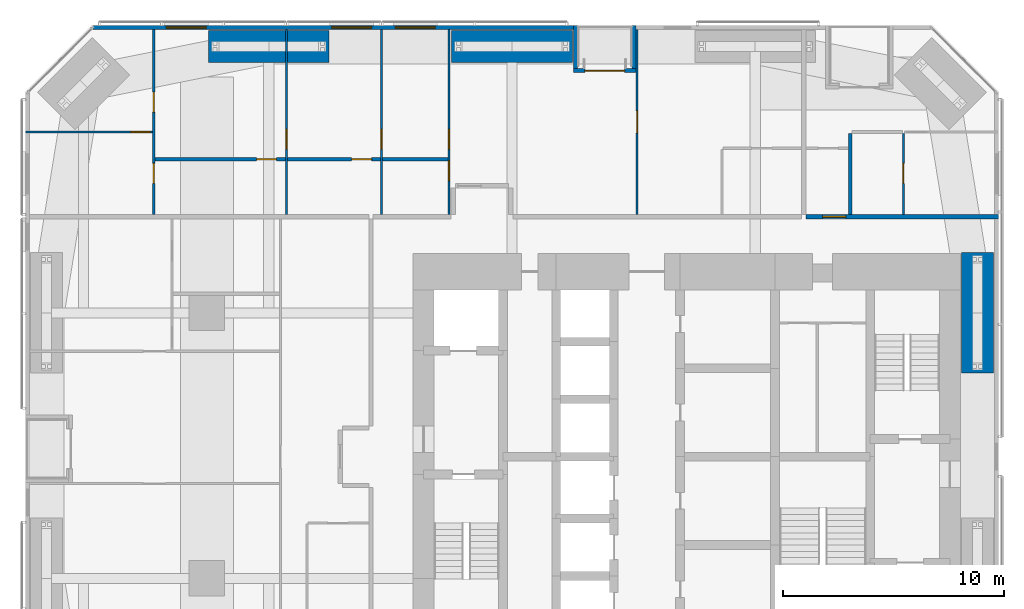
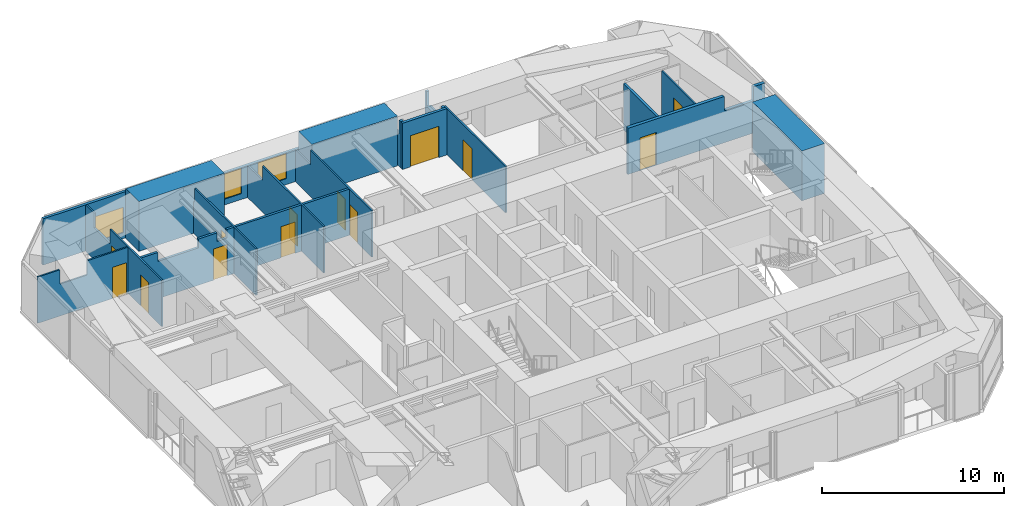
# One storey, part 21 of 23: 19 walls, 13 doors, 3 windows, 16 openings.
"""IFC4 building model written with IfcOpenShell, lengths in metres."""

from ifc_helpers import new_model, si_unit, direction, frame, frame_2d, origin, place, context, subcontext, project, spatial, polyline, rectangle, outline, extrude, material, layer, layer_set, constituent, constituent_set, type_object, element, fill, save


model = new_model("IFC4")

# Units and contexts
model_context = context("Model", 3, precision=1e-05, world=origin(), true_north=direction((0.0, 1.0)))
body_context = subcontext(model_context, "Body", "Model", "MODEL_VIEW")
ifc_project = project(units=[si_unit("LENGTHUNIT", "METRE"), si_unit("AREAUNIT", "SQUARE_METRE"), si_unit("VOLUMEUNIT", "CUBIC_METRE"), si_unit("PLANEANGLEUNIT", "RADIAN"), si_unit("MASSUNIT", "GRAM", prefix="KILO")], contexts=[model_context])

# Site, building, storey
site_placement = place(None, origin())
site = spatial("IfcSite", under=ifc_project, at=site_placement, CompositionType="ELEMENT")
building_placement = place(site_placement, origin())
building = spatial("IfcBuilding", under=site, at=building_placement, Name="Jalousie Tower", CompositionType="ELEMENT")
storey_placement = place(building_placement, frame((0.0, 0.0, 24.35009765625)))
storey = spatial("IfcBuildingStorey", under=building, at=storey_placement, Name="L05", CompositionType="ELEMENT", Elevation=24.35009765625)

# Wall, opening, door
ifc_material_1 = material(Name="Concrete block ASTM C90", Category="concrete")
ifc_constituent_1 = constituent(ifc_material_1, Name="Body")
ifc_material_2 = material(Name="Render")
ifc_constituent_2 = constituent(ifc_material_2, Name="Finish")
ifc_constituent_set_1 = constituent_set(constituents=[ifc_constituent_1, ifc_constituent_2])
wall_type_1 = type_object("IfcWallType", Name="BATHROOM WALL 150", PredefinedType="PLUMBINGWALL", material=ifc_constituent_set_1)
wall_1_placement = place(storey_placement, frame((7.85009765625, 31.949951171875, 0.0), z_axis=(0.0, 0.0, 1.0), x_axis=(1.0, 0.0, 0.0)))
wall_1 = element("IfcWall", 1, at=wall_1_placement, inside=storey, type_object=wall_type_1, Name="Bathroom Wall 150 L05", PredefinedType="PLUMBINGWALL", context=body_context, shape_type="SweptSolid", body=[
    extrude(outline(polyline([(0.0, 0.0), (5.89990234375, 0.0), (5.89990234375, 3.10986328125), (5.46240234375, 3.10986328125), (5.46240234375, 2.541015625), (4.837646484375, 2.541015625), (4.837646484375, 3.10986328125), (3.635009765625, 3.10986328125), (3.635009765625, 2.510009765625), (1.06494140625, 2.510009765625), (1.06494140625, 3.10986328125), (0.0, 3.10986328125), (0.0, 0.0)])), frame((0.0, 0.074951171875, 0.0), z_axis=(0.0, -1.0, 0.0), x_axis=(1.0, 0.0, 0.0)), (0.0, 0.0, 1.0), 0.14990234375),
])
opening_1_placement = place(wall_1_placement, frame((4.60009765625, 0.0, 0.0)))
opening_1 = element("IfcOpeningElement", 2, at=opening_1_placement, cuts=wall_1, Name="Opening D3", PredefinedType="OPENING", context=body_context, shape_type="SweptSolid", body=[
    extrude(rectangle(XDim=0.89990234375, YDim=2.10009765625, at=frame_2d((0.449951171875, 1.050048828125))), frame((0.0, 0.0849609375, 0.0), z_axis=(0.0, -1.0, 0.0), x_axis=(1.0, 0.0, 0.0)), (0.0, 0.0, 1.0), 0.169921875),
])
ifc_material_3 = material(Name="Timber door", Category="wood")
door_type_1 = type_object("IfcDoorType", Name="BATHROOM DOOR 900", OperationType="SINGLE_SWING_LEFT", PredefinedType="DOOR", material=ifc_material_3)
door_1_placement = place(opening_1_placement, frame((0.89990234375, 0.0, 0.0), z_axis=(0.0, 0.0, 1.0), x_axis=(-1.0, 0.0, 0.0)))
door_1 = element("IfcDoor", 3, at=door_1_placement, inside=storey, type_object=door_type_1, Name="Apartment 0504 bedroom 2 bathroom door", OperationType="SINGLE_SWING_LEFT", OverallHeight=2.10009765625, OverallWidth=0.89990234375, PredefinedType="DOOR", context=body_context, shape_type="SweptSolid", body=[
    extrude(rectangle(XDim=0.89990234375, YDim=2.10009765625, at=frame_2d((0.449951171875, 1.050048828125))), frame((0.0, 0.02490234375, 0.0), z_axis=(0.0, -1.0, 0.0), x_axis=(1.0, 0.0, 0.0)), (0.0, 0.0, 1.0), 0.050048828125),
])
fill(opening_1, door_1)

wall_2_placement = place(storey_placement, frame((13.85009765625, 31.949951171875, 0.0), z_axis=(0.0, 0.0, 1.0), x_axis=(1.0, 0.0, 0.0)))
wall_2 = element("IfcWall", 4, at=wall_2_placement, inside=storey, type_object=wall_type_1, Name="Bathroom Wall 150 L05", PredefinedType="PLUMBINGWALL", context=body_context, shape_type="SweptSolid", body=[
    extrude(rectangle(XDim=4.199951171875, YDim=0.14990234375, at=frame_2d((2.10009765625, 0.0))), origin(), (0.0, 0.0, 1.0), 3.10986328125),
])
opening_2_placement = place(wall_2_placement, frame((2.89990234375, 0.0, 0.0)))
opening_2 = element("IfcOpeningElement", 5, at=opening_2_placement, cuts=wall_2, Name="Opening D3", PredefinedType="OPENING", context=body_context, shape_type="SweptSolid", body=[
    extrude(rectangle(XDim=0.89990234375, YDim=2.10009765625, at=frame_2d((0.449951171875, 1.050048828125))), frame((0.0, 0.0849609375, 0.0), z_axis=(0.0, -1.0, 0.0), x_axis=(1.0, 0.0, 0.0)), (0.0, 0.0, 1.0), 0.169921875),
])
door_2_placement = place(opening_2_placement, frame((0.89990234375, 0.0, 0.0), z_axis=(0.0, 0.0, 1.0), x_axis=(-1.0, 0.0, 0.0)))
door_2 = element("IfcDoor", 6, at=door_2_placement, inside=storey, type_object=door_type_1, Name="Apartment 0504 bedroom 3 bathroom door", OperationType="SINGLE_SWING_LEFT", OverallHeight=2.10009765625, OverallWidth=0.89990234375, PredefinedType="DOOR", context=body_context, shape_type="SweptSolid", body=[
    extrude(rectangle(XDim=0.89990234375, YDim=2.10009765625, at=frame_2d((0.449951171875, 1.050048828125))), frame((0.0, 0.02490234375, 0.0), z_axis=(0.0, -1.0, 0.0), x_axis=(1.0, 0.0, 0.0)), (0.0, 0.0, 1.0), 0.050048828125),
])
fill(opening_2, door_2)

# Walls
wall_3_placement = place(storey_placement, frame((18.14990234375, 31.949951171875, 0.0), z_axis=(0.0, 0.0, 1.0), x_axis=(1.0, 0.0, 0.0)))
element("IfcWall", 7, at=wall_3_placement, inside=storey, type_object=wall_type_1, Name="Bathroom Wall 150 L05", PredefinedType="PLUMBINGWALL", context=body_context, shape_type="SweptSolid", body=[
    extrude(rectangle(XDim=2.9501953125, YDim=0.14990234375, at=frame_2d((1.47509765625, 0.0))), origin(), (0.0, 0.0, 1.0), 3.10986328125),
])
wall_4_placement = place(storey_placement, frame((39.300048828125, 33.107666015625, 0.0), z_axis=(0.0, 0.0, 1.0), x_axis=(0.0, -1.0, 0.0)))
element("IfcWall", 8, at=wall_4_placement, inside=storey, type_object=wall_type_1, Name="Bathroom Wall 150 L05", PredefinedType="PLUMBINGWALL", context=body_context, shape_type="SweptSolid", body=[
    extrude(rectangle(XDim=3.65771484375, YDim=0.14990234375, at=frame_2d((1.828857421875, 0.0))), origin(), (0.0, 0.0, 1.0), 3.10986328125),
])

# Wall, opening, door
ifc_material_4 = material(Name="Concrete block ASTM C90", Category="concrete")
ifc_constituent_3 = constituent(ifc_material_4, Name="Body")
ifc_material_5 = material(Name="Render")
ifc_constituent_4 = constituent(ifc_material_5, Name="Finish")
ifc_constituent_set_2 = constituent_set(constituents=[ifc_constituent_3, ifc_constituent_4])
wall_type_2 = type_object("IfcWallType", Name="CORRIDOR WALL 200", PredefinedType="PARTITIONING", material=ifc_constituent_set_2)
wall_5_placement = place(storey_placement, frame((37.300048828125, 29.35009765625, 0.0), z_axis=(0.0, 0.0, 1.0), x_axis=(1.0, 0.0, 0.0)))
wall_5 = element("IfcWall", 9, at=wall_5_placement, inside=storey, type_object=wall_type_2, Name="Corridor Wall 200 L05", PredefinedType="PARTITIONING", context=body_context, shape_type="SweptSolid", body=[
    extrude(outline(polyline([(0.0, 0.0), (8.699951171875, 0.0), (8.699951171875, 3.10986328125), (7.966552734375, 3.10986328125), (7.966552734375, 2.14990234375), (6.122802734375, 2.14990234375), (6.122802734375, 3.10986328125), (0.0, 3.10986328125), (0.0, 0.0)])), frame((0.0, 0.10009765625, 0.0), z_axis=(0.0, -1.0, 0.0), x_axis=(1.0, 0.0, 0.0)), (0.0, 0.0, 1.0), 0.199951171875),
])
opening_3_placement = place(wall_5_placement, frame((0.75, 0.0, 0.0)))
opening_3 = element("IfcOpeningElement", 10, at=opening_3_placement, cuts=wall_5, Name="Opening D1", PredefinedType="OPENING", context=body_context, shape_type="SweptSolid", body=[
    extrude(rectangle(XDim=1.050048828125, YDim=2.199951171875, at=frame_2d((0.52490234375, 1.10009765625))), frame((0.0, 0.10986328125, 0.0), z_axis=(0.0, -1.0, 0.0), x_axis=(1.0, 0.0, 0.0)), (0.0, 0.0, 1.0), 0.219970703125),
])
ifc_material_6 = material(Name="Timber fire door", Category="wood")
door_type_2 = type_object("IfcDoorType", Name="APARTMENT ENTRANCE DOOR 1050", OperationType="SINGLE_SWING_LEFT", PredefinedType="DOOR", material=ifc_material_6)
door_3_placement = place(opening_3_placement, origin())
door_3 = element("IfcDoor", 11, at=door_3_placement, inside=storey, type_object=door_type_2, Name="Apartment 0505 entrance", OperationType="SINGLE_SWING_RIGHT", OverallHeight=2.199951171875, OverallWidth=1.050048828125, PredefinedType="DOOR", context=body_context, shape_type="SweptSolid", body=[
    extrude(rectangle(XDim=1.050048828125, YDim=2.199951171875, at=frame_2d((0.52490234375, 1.10009765625))), frame((0.0, 0.02490234375, 0.0), z_axis=(0.0, -1.0, 0.0), x_axis=(1.0, 0.0, 0.0)), (0.0, 0.0, 1.0), 0.050048828125),
])
fill(opening_3, door_3)

# Wall, openings, windows
ifc_material_7 = material(Name="Concrete f'c 40 MPa", Category="concrete")
ifc_constituent_5 = constituent(ifc_material_7, Name="Body")
ifc_material_8 = material(Name="Render, pastel coral")
ifc_constituent_6 = constituent(ifc_material_8, Name="Finish")
ifc_constituent_set_3 = constituent_set(constituents=[ifc_constituent_5, ifc_constituent_6])
wall_type_3 = type_object("IfcWallType", Name="EXTERNAL WALL 175 CORAL RENDER", PredefinedType="SOLIDWALL", material=ifc_constituent_set_3)
wall_6_placement = place(storey_placement, frame((26.783203125, 37.91259765625, 0.0), z_axis=(0.0, 0.0, 1.0), x_axis=(-1.0, 0.0, 0.0)))
wall_6 = element("IfcWall", 12, at=wall_6_placement, inside=storey, type_object=wall_type_3, Name="External Wall 175 Coral Render L05", PredefinedType="SOLIDWALL", context=body_context, shape_type="SweptSolid", body=[
    extrude(outline(polyline([(0.0, 0.0), (21.73193359375, 0.0), (21.73193359375, 3.10986328125), (13.9873046875, 3.10986328125), (13.9873046875, 2.14990234375), (13.93896484375, 2.14990234375), (13.93896484375, 3.10986328125), (13.783203125, 3.10986328125), (13.783203125, 2.14990234375), (0.0, 2.14990234375), (0.0, 0.0)])), frame((0.0, 0.08740234375, 0.0), z_axis=(0.0, -1.0, 0.0), x_axis=(1.0, 0.0, 0.0)), (0.0, 0.0, 1.0), 0.175048828125),
])
opening_4_placement = place(wall_6_placement, frame((6.25830078125, 0.0, 0.39990234375)))
opening_4 = element("IfcOpeningElement", 13, at=opening_4_placement, cuts=wall_6, Name="Opening W-BED170", PredefinedType="OPENING", context=body_context, shape_type="SweptSolid", body=[
    extrude(rectangle(XDim=1.800048828125, YDim=1.699951171875, at=frame_2d((0.89990234375, 0.85009765625))), frame((0.0, 0.097412109375, 0.0), z_axis=(0.0, -1.0, 0.0), x_axis=(1.0, 0.0, 0.0)), (0.0, 0.0, 1.0), 0.195068359375),
])
opening_5_placement = place(wall_6_placement, frame((9.125732421875, 0.0, 0.39990234375)))
opening_5 = element("IfcOpeningElement", 14, at=opening_5_placement, cuts=wall_6, Name="Opening W-BED170", PredefinedType="OPENING", context=body_context, shape_type="SweptSolid", body=[
    extrude(rectangle(XDim=1.800048828125, YDim=1.699951171875, at=frame_2d((0.89990234375, 0.85009765625))), frame((0.0, 0.097412109375, 0.0), z_axis=(0.0, -1.0, 0.0), x_axis=(1.0, 0.0, 0.0)), (0.0, 0.0, 1.0), 0.195068359375),
])
opening_6_placement = place(wall_6_placement, frame((16.61328125, 0.0, 0.39990234375)))
opening_6 = element("IfcOpeningElement", 15, at=opening_6_placement, cuts=wall_6, Name="Opening W-BED170", PredefinedType="OPENING", context=body_context, shape_type="SweptSolid", body=[
    extrude(rectangle(XDim=1.800048828125, YDim=1.699951171875, at=frame_2d((0.89990234375, 0.85009765625))), frame((0.0, 0.097412109375, 0.0), z_axis=(0.0, -1.0, 0.0), x_axis=(1.0, 0.0, 0.0)), (0.0, 0.0, 1.0), 0.195068359375),
])
ifc_material_9 = material(Name="Aluminium frame, impact-rated glazing", Category="aluminium")
window_type = type_object("IfcWindowType", Name="WINDOW BED 1800x1700", PartitioningType="SINGLE_PANEL", PredefinedType="WINDOW", material=ifc_material_9)
window_1_placement = place(opening_4_placement, origin())
window_1 = element("IfcWindow", 16, at=window_1_placement, inside=storey, type_object=window_type, Name="Apartment 0504 bedroom 4 window", OverallHeight=1.699951171875, OverallWidth=1.800048828125, PartitioningType="SINGLE_PANEL", PredefinedType="WINDOW", context=body_context, shape_type="SweptSolid", body=[
    extrude(rectangle(XDim=1.800048828125, YDim=1.699951171875, at=frame_2d((0.89990234375, 0.85009765625))), frame((0.0, 0.030029296875, 0.0), z_axis=(0.0, -1.0, 0.0), x_axis=(1.0, 0.0, 0.0)), (0.0, 0.0, 1.0), 0.06005859375),
])
fill(opening_4, window_1)
window_2_placement = place(opening_5_placement, origin())
window_2 = element("IfcWindow", 17, at=window_2_placement, inside=storey, type_object=window_type, Name="Apartment 0504 bedroom 3 window", OverallHeight=1.699951171875, OverallWidth=1.800048828125, PartitioningType="SINGLE_PANEL", PredefinedType="WINDOW", context=body_context, shape_type="SweptSolid", body=[
    extrude(rectangle(XDim=1.800048828125, YDim=1.699951171875, at=frame_2d((0.89990234375, 0.85009765625))), frame((0.0, 0.030029296875, 0.0), z_axis=(0.0, -1.0, 0.0), x_axis=(1.0, 0.0, 0.0)), (0.0, 0.0, 1.0), 0.06005859375),
])
fill(opening_5, window_2)
window_3_placement = place(opening_6_placement, origin())
window_3 = element("IfcWindow", 18, at=window_3_placement, inside=storey, type_object=window_type, Name="Apartment 0504 bedroom 2 window", OverallHeight=1.699951171875, OverallWidth=1.800048828125, PartitioningType="SINGLE_PANEL", PredefinedType="WINDOW", context=body_context, shape_type="SweptSolid", body=[
    extrude(rectangle(XDim=1.800048828125, YDim=1.699951171875, at=frame_2d((0.89990234375, 0.85009765625))), frame((0.0, 0.030029296875, 0.0), z_axis=(0.0, -1.0, 0.0), x_axis=(1.0, 0.0, 0.0)), (0.0, 0.0, 1.0), 0.06005859375),
])
fill(opening_6, window_3)

# Wall, opening, door
wall_7_placement = place(storey_placement, frame((29.608154296875, 35.96240234375, 0.0), z_axis=(0.0, 0.0, 1.0), x_axis=(-1.0, 0.0, 0.0)))
wall_7 = element("IfcWall", 19, at=wall_7_placement, inside=storey, type_object=wall_type_3, Name="External Wall 175 Coral Render L05", PredefinedType="SOLIDWALL", context=body_context, shape_type="SweptSolid", body=[
    extrude(rectangle(XDim=2.824951171875, YDim=0.175048828125, at=frame_2d((1.41259765625, 0.0))), origin(), (0.0, 0.0, 1.0), 3.10986328125),
])
opening_7_placement = place(wall_7_placement, frame((0.512451171875, 0.0, 0.0)))
opening_7 = element("IfcOpeningElement", 20, at=opening_7_placement, cuts=wall_7, Name="Opening D-BAL21", PredefinedType="OPENING", context=body_context, shape_type="SweptSolid", body=[
    extrude(rectangle(XDim=1.800048828125, YDim=2.10009765625, at=frame_2d((0.89990234375, 1.050048828125))), frame((0.0, 0.097412109375, 0.0), z_axis=(0.0, -1.0, 0.0), x_axis=(1.0, 0.0, 0.0)), (0.0, 0.0, 1.0), 0.195068359375),
])
ifc_material_10 = material(Name="Aluminium frame, impact-rated glazing", Category="aluminium")
door_type_3 = type_object("IfcDoorType", Name="BALCONY DOOR 1800x2100", OperationType="SLIDING_TO_LEFT", PredefinedType="DOOR", material=ifc_material_10)
door_4_placement = place(opening_7_placement, origin())
door_4 = element("IfcDoor", 21, at=door_4_placement, inside=storey, type_object=door_type_3, Name="Apartment 0504 living room loggia door", OperationType="SLIDING_TO_LEFT", OverallHeight=2.10009765625, OverallWidth=1.800048828125, PredefinedType="DOOR", context=body_context, shape_type="SweptSolid", body=[
    extrude(rectangle(XDim=1.800048828125, YDim=2.10009765625, at=frame_2d((0.89990234375, 1.050048828125))), frame((0.0, 0.02490234375, 0.0), z_axis=(0.0, -1.0, 0.0), x_axis=(1.0, 0.0, 0.0)), (0.0, 0.0, 1.0), 0.050048828125),
])
fill(opening_7, door_4)

# Walls
for number, where, z_axis, x_axis, name in (
    (22, (29.520751953125, 38.0, 0.0), (0.0, 0.0, 1.0), (0.0, -1.0, 0.0), "External Wall 175 Coral Render L05"),
    (23, (26.87060546875, 38.0, 0.0), (0.0, 0.0, 1.0), (0.0, -1.0, 0.0), "External Wall 175 Coral Render L05"),
):
    element("IfcWall", number, at=place(storey_placement, frame(where, z_axis=z_axis, x_axis=x_axis)), inside=storey, type_object=wall_type_3, Name=name, PredefinedType="SOLIDWALL", context=body_context, shape_type="SweptSolid", body=[
        extrude(outline(polyline([(0.0, 0.0), (1.949951171875, 0.0), (1.949951171875, 3.10986328125), (1.75, 3.10986328125), (1.75, 2.14990234375), (0.14990234375, 2.14990234375), (0.14990234375, 3.10986328125), (0.0, 3.10986328125), (0.0, 0.0)])), frame((0.0, 0.08740234375, 0.0), z_axis=(0.0, -1.0, 0.0), x_axis=(1.0, 0.0, 0.0)), (0.0, 0.0, 1.0), 0.175048828125),
    ])

# Wall, openings, doors
ifc_material_11 = material(Name="Gypsum board", Category="gypsum")
ifc_constituent_7 = constituent(ifc_material_11, Name="Body")
ifc_material_12 = material(Name="Light-gauge steel studs ASTM A653 SS Grade 33", Category="steel")
ifc_constituent_8 = constituent(ifc_material_12, Name="Framing")
ifc_constituent_set_4 = constituent_set(constituents=[ifc_constituent_7, ifc_constituent_8])
wall_type_4 = type_object("IfcWallType", Name="PARTITION 100", PredefinedType="PARTITIONING", material=ifc_constituent_set_4)
wall_8_placement = place(storey_placement, frame((7.800048828125, 37.824951171875, 0.0), z_axis=(0.0, 0.0, 1.0), x_axis=(0.0, -1.0, 0.0)))
wall_8 = element("IfcWall", 24, at=wall_8_placement, inside=storey, type_object=wall_type_4, Name="Partition 100 L05", PredefinedType="PARTITIONING", context=body_context, shape_type="SweptSolid", body=[
    extrude(outline(polyline([(0.0, 0.0), (8.375, 0.0), (8.375, 3.10986328125), (2.697021484375, 3.10986328125), (2.697021484375, 2.14990234375), (0.942626953125, 2.14990234375), (0.942626953125, 3.10986328125), (0.0, 3.10986328125), (0.0, 0.0)])), frame((0.0, 0.050048828125, 0.0), z_axis=(0.0, -1.0, 0.0), x_axis=(1.0, 0.0, 0.0)), (0.0, 0.0, 1.0), 0.10009765625),
])
opening_8_placement = place(wall_8_placement, frame((2.84228515625, 0.0, 0.0)))
opening_8 = element("IfcOpeningElement", 25, at=opening_8_placement, cuts=wall_8, Name="Opening D2", PredefinedType="OPENING", context=body_context, shape_type="SweptSolid", body=[
    extrude(rectangle(XDim=0.89990234375, YDim=2.10009765625, at=frame_2d((0.449951171875, 1.050048828125))), frame((0.0, 0.06005859375, 0.0), z_axis=(0.0, -1.0, 0.0), x_axis=(1.0, 0.0, 0.0)), (0.0, 0.0, 1.0), 0.1201171875),
])
opening_9_placement = place(wall_8_placement, frame((6.05859375, 0.0, 0.0)))
opening_9 = element("IfcOpeningElement", 26, at=opening_9_placement, cuts=wall_8, Name="Opening D3", PredefinedType="OPENING", context=body_context, shape_type="SweptSolid", body=[
    extrude(rectangle(XDim=0.89990234375, YDim=2.10009765625, at=frame_2d((0.449951171875, 1.050048828125))), frame((0.0, 0.06005859375, 0.0), z_axis=(0.0, -1.0, 0.0), x_axis=(1.0, 0.0, 0.0)), (0.0, 0.0, 1.0), 0.1201171875),
])
door_5_placement = place(opening_9_placement, origin())
door_5 = element("IfcDoor", 27, at=door_5_placement, inside=storey, type_object=door_type_1, Name="Apartment 0504 bedroom 1 bathroom door", OperationType="SINGLE_SWING_LEFT", OverallHeight=2.10009765625, OverallWidth=0.89990234375, PredefinedType="DOOR", context=body_context, shape_type="SweptSolid", body=[
    extrude(rectangle(XDim=0.89990234375, YDim=2.10009765625, at=frame_2d((0.449951171875, 1.050048828125))), frame((0.0, 0.02490234375, 0.0), z_axis=(0.0, -1.0, 0.0), x_axis=(1.0, 0.0, 0.0)), (0.0, 0.0, 1.0), 0.050048828125),
])
fill(opening_9, door_5)
ifc_material_13 = material(Name="Timber door", Category="wood")
door_type_4 = type_object("IfcDoorType", Name="BEDROOM DOOR 900", OperationType="SINGLE_SWING_LEFT", PredefinedType="DOOR", material=ifc_material_13)
door_6_placement = place(opening_8_placement, origin())
door_6 = element("IfcDoor", 28, at=door_6_placement, inside=storey, type_object=door_type_4, Name="Apartment 0504 bedroom 1 door", OperationType="SINGLE_SWING_RIGHT", OverallHeight=2.10009765625, OverallWidth=0.89990234375, PredefinedType="DOOR", context=body_context, shape_type="SweptSolid", body=[
    extrude(rectangle(XDim=0.89990234375, YDim=2.10009765625, at=frame_2d((0.449951171875, 1.050048828125))), frame((0.0, 0.02490234375, 0.0), z_axis=(0.0, -1.0, 0.0), x_axis=(1.0, 0.0, 0.0)), (0.0, 0.0, 1.0), 0.050048828125),
])
fill(opening_8, door_6)

# Wall, opening, door
wall_9_placement = place(storey_placement, frame((13.800048828125, 37.824951171875, 0.0), z_axis=(0.0, 0.0, 1.0), x_axis=(0.0, -1.0, 0.0)))
wall_9 = element("IfcWall", 29, at=wall_9_placement, inside=storey, type_object=wall_type_4, Name="Partition 100 L05", PredefinedType="PARTITIONING", context=body_context, shape_type="SweptSolid", body=[
    extrude(outline(polyline([(1.635009765625, 2.14990234375), (0.0, 2.14990234375), (0.0, 0.0), (8.375, 0.0), (8.375, 3.10986328125), (1.635009765625, 3.10986328125), (1.635009765625, 2.14990234375)]), holes=[polyline([(1.021240234375, 0.1259765625), (0.52880859375, 0.1259765625), (0.52880859375, 0.918701171875), (1.021240234375, 0.918701171875), (1.021240234375, 0.1259765625)]), polyline([(1.021240234375, 1.23095703125), (0.52880859375, 1.23095703125), (0.52880859375, 2.02392578125), (1.021240234375, 2.02392578125), (1.021240234375, 1.23095703125)])]), frame((0.0, 0.050048828125, 0.0), z_axis=(0.0, -1.0, 0.0), x_axis=(1.0, 0.0, 0.0)), (0.0, 0.0, 1.0), 0.10009765625),
])
opening_10_placement = place(wall_9_placement, frame((4.52490234375, 0.0, 0.0)))
opening_10 = element("IfcOpeningElement", 30, at=opening_10_placement, cuts=wall_9, Name="Opening D2", PredefinedType="OPENING", context=body_context, shape_type="SweptSolid", body=[
    extrude(rectangle(XDim=0.89990234375, YDim=2.10009765625, at=frame_2d((0.449951171875, 1.050048828125))), frame((0.0, 0.06005859375, 0.0), z_axis=(0.0, -1.0, 0.0), x_axis=(1.0, 0.0, 0.0)), (0.0, 0.0, 1.0), 0.1201171875),
])
door_7_placement = place(opening_10_placement, frame((0.89990234375, 0.0, 0.0), z_axis=(0.0, 0.0, 1.0), x_axis=(-1.0, 0.0, 0.0)))
door_7 = element("IfcDoor", 31, at=door_7_placement, inside=storey, type_object=door_type_4, Name="Apartment 0504 bedroom 2 door", OperationType="SINGLE_SWING_LEFT", OverallHeight=2.10009765625, OverallWidth=0.89990234375, PredefinedType="DOOR", context=body_context, shape_type="SweptSolid", body=[
    extrude(rectangle(XDim=0.89990234375, YDim=2.10009765625, at=frame_2d((0.449951171875, 1.050048828125))), frame((0.0, 0.02490234375, 0.0), z_axis=(0.0, -1.0, 0.0), x_axis=(1.0, 0.0, 0.0)), (0.0, 0.0, 1.0), 0.050048828125),
])
fill(opening_10, door_7)

wall_10_placement = place(storey_placement, frame((18.10009765625, 37.824951171875, 0.0), z_axis=(0.0, 0.0, 1.0), x_axis=(0.0, -1.0, 0.0)))
wall_10 = element("IfcWall", 32, at=wall_10_placement, inside=storey, type_object=wall_type_4, Name="Partition 100 L05", PredefinedType="PARTITIONING", context=body_context, shape_type="SweptSolid", body=[
    extrude(outline(polyline([(0.0, 0.0), (8.375, 0.0), (8.375, 3.10986328125), (1.635009765625, 3.10986328125), (1.635009765625, 2.14990234375), (0.0, 2.14990234375), (0.0, 3.10986328125), (0.0, 0.0)])), frame((0.0, 0.050048828125, 0.0), z_axis=(0.0, -1.0, 0.0), x_axis=(1.0, 0.0, 0.0)), (0.0, 0.0, 1.0), 0.10009765625),
])
opening_11_placement = place(wall_10_placement, frame((4.52490234375, 0.0, 0.0)))
opening_11 = element("IfcOpeningElement", 33, at=opening_11_placement, cuts=wall_10, Name="Opening D2", PredefinedType="OPENING", context=body_context, shape_type="SweptSolid", body=[
    extrude(rectangle(XDim=0.89990234375, YDim=2.10009765625, at=frame_2d((0.449951171875, 1.050048828125))), frame((0.0, 0.06005859375, 0.0), z_axis=(0.0, -1.0, 0.0), x_axis=(1.0, 0.0, 0.0)), (0.0, 0.0, 1.0), 0.1201171875),
])
door_8_placement = place(opening_11_placement, frame((0.89990234375, 0.0, 0.0), z_axis=(0.0, 0.0, 1.0), x_axis=(-1.0, 0.0, 0.0)))
door_8 = element("IfcDoor", 34, at=door_8_placement, inside=storey, type_object=door_type_4, Name="Apartment 0504 bedroom 3 door", OperationType="SINGLE_SWING_LEFT", OverallHeight=2.10009765625, OverallWidth=0.89990234375, PredefinedType="DOOR", context=body_context, shape_type="SweptSolid", body=[
    extrude(rectangle(XDim=0.89990234375, YDim=2.10009765625, at=frame_2d((0.449951171875, 1.050048828125))), frame((0.0, 0.02490234375, 0.0), z_axis=(0.0, -1.0, 0.0), x_axis=(1.0, 0.0, 0.0)), (0.0, 0.0, 1.0), 0.050048828125),
])
fill(opening_11, door_8)

# Wall, openings, doors
wall_11_placement = place(storey_placement, frame((21.14990234375, 37.824951171875, 0.0), z_axis=(0.0, 0.0, 1.0), x_axis=(0.0, -1.0, 0.0)))
wall_11 = element("IfcWall", 35, at=wall_11_placement, inside=storey, type_object=wall_type_4, Name="Partition 100 L05", PredefinedType="PARTITIONING", context=body_context, shape_type="SweptSolid", body=[
    extrude(outline(polyline([(0.0, 0.0), (8.375, 0.0), (8.375, 3.10986328125), (1.635009765625, 3.10986328125), (1.635009765625, 2.14990234375), (0.0, 2.14990234375), (0.0, 3.10986328125), (0.0, 0.0)])), frame((0.0, 0.050048828125, 0.0), z_axis=(0.0, -1.0, 0.0), x_axis=(1.0, 0.0, 0.0)), (0.0, 0.0, 1.0), 0.10009765625),
])
opening_12_placement = place(wall_11_placement, frame((4.52490234375, 0.0, 0.0)))
opening_12 = element("IfcOpeningElement", 36, at=opening_12_placement, cuts=wall_11, Name="Opening D2", PredefinedType="OPENING", context=body_context, shape_type="SweptSolid", body=[
    extrude(rectangle(XDim=0.89990234375, YDim=2.10009765625, at=frame_2d((0.449951171875, 1.050048828125))), frame((0.0, 0.06005859375, 0.0), z_axis=(0.0, -1.0, 0.0), x_axis=(1.0, 0.0, 0.0)), (0.0, 0.0, 1.0), 0.1201171875),
])
opening_13_placement = place(wall_11_placement, frame((5.949951171875, 0.0, 0.0)))
opening_13 = element("IfcOpeningElement", 37, at=opening_13_placement, cuts=wall_11, Name="Opening D7", PredefinedType="OPENING", context=body_context, shape_type="SweptSolid", body=[
    extrude(rectangle(XDim=0.89990234375, YDim=2.10009765625, at=frame_2d((0.449951171875, 1.050048828125))), frame((0.0, 0.06005859375, 0.0), z_axis=(0.0, -1.0, 0.0), x_axis=(1.0, 0.0, 0.0)), (0.0, 0.0, 1.0), 0.1201171875),
])
door_9_placement = place(opening_12_placement, frame((0.89990234375, 0.0, 0.0), z_axis=(0.0, 0.0, 1.0), x_axis=(-1.0, 0.0, 0.0)))
door_9 = element("IfcDoor", 38, at=door_9_placement, inside=storey, type_object=door_type_4, Name="Apartment 0504 bedroom 4 door", OperationType="SINGLE_SWING_LEFT", OverallHeight=2.10009765625, OverallWidth=0.89990234375, PredefinedType="DOOR", context=body_context, shape_type="SweptSolid", body=[
    extrude(rectangle(XDim=0.89990234375, YDim=2.10009765625, at=frame_2d((0.449951171875, 1.050048828125))), frame((0.0, 0.02490234375, 0.0), z_axis=(0.0, -1.0, 0.0), x_axis=(1.0, 0.0, 0.0)), (0.0, 0.0, 1.0), 0.050048828125),
])
fill(opening_12, door_9)
ifc_material_14 = material(Name="Timber door", Category="wood")
door_type_5 = type_object("IfcDoorType", Name="INTERNAL DOOR 900", OperationType="SINGLE_SWING_LEFT", PredefinedType="DOOR", material=ifc_material_14)
door_10_placement = place(opening_13_placement, frame((0.89990234375, 0.0, 0.0), z_axis=(0.0, 0.0, 1.0), x_axis=(-1.0, 0.0, 0.0)))
door_10 = element("IfcDoor", 39, at=door_10_placement, inside=storey, type_object=door_type_5, Name="Apartment 0504 bathroom door", OperationType="SINGLE_SWING_RIGHT", OverallHeight=2.10009765625, OverallWidth=0.89990234375, PredefinedType="DOOR", context=body_context, shape_type="SweptSolid", body=[
    extrude(rectangle(XDim=0.89990234375, YDim=2.10009765625, at=frame_2d((0.449951171875, 1.050048828125))), frame((0.0, 0.02490234375, 0.0), z_axis=(0.0, -1.0, 0.0), x_axis=(1.0, 0.0, 0.0)), (0.0, 0.0, 1.0), 0.050048828125),
])
fill(opening_13, door_10)

# Wall, opening, door
wall_12_placement = place(storey_placement, frame((2.0, 33.1826171875, 0.0), z_axis=(0.0, 0.0, 1.0), x_axis=(1.0, 0.0, 0.0)))
wall_12 = element("IfcWall", 40, at=wall_12_placement, inside=storey, type_object=wall_type_4, Name="Partition 100 L05", PredefinedType="PARTITIONING", context=body_context, shape_type="SweptSolid", body=[
    extrude(outline(polyline([(0.0, 0.0), (5.75, 0.0), (5.75, 3.10986328125), (3.148193359375, 3.10986328125), (3.148193359375, 2.14990234375), (1.40576171875, 2.14990234375), (1.40576171875, 3.10986328125), (0.0, 3.10986328125), (0.0, 0.0)])), frame((0.0, 0.050048828125, 0.0), z_axis=(0.0, -1.0, 0.0), x_axis=(1.0, 0.0, 0.0)), (0.0, 0.0, 1.0), 0.10009765625),
])
opening_14_placement = place(wall_12_placement, frame((4.75, 0.0, 0.0)))
opening_14 = element("IfcOpeningElement", 41, at=opening_14_placement, cuts=wall_12, Name="Opening D7", PredefinedType="OPENING", context=body_context, shape_type="SweptSolid", body=[
    extrude(rectangle(XDim=0.89990234375, YDim=2.10009765625, at=frame_2d((0.449951171875, 1.050048828125))), frame((0.0, 0.06005859375, 0.0), z_axis=(0.0, -1.0, 0.0), x_axis=(1.0, 0.0, 0.0)), (0.0, 0.0, 1.0), 0.1201171875),
])
door_11_placement = place(opening_14_placement, frame((0.89990234375, 0.0, 0.0), z_axis=(0.0, 0.0, 1.0), x_axis=(-1.0, 0.0, 0.0)))
door_11 = element("IfcDoor", 42, at=door_11_placement, inside=storey, type_object=door_type_5, Name="Apartment 0504 bedroom 1 dressing hall door", OperationType="SINGLE_SWING_LEFT", OverallHeight=2.10009765625, OverallWidth=0.89990234375, PredefinedType="DOOR", context=body_context, shape_type="SweptSolid", body=[
    extrude(rectangle(XDim=0.89990234375, YDim=2.10009765625, at=frame_2d((0.449951171875, 1.050048828125))), frame((0.0, 0.02490234375, 0.0), z_axis=(0.0, -1.0, 0.0), x_axis=(1.0, 0.0, 0.0)), (0.0, 0.0, 1.0), 0.050048828125),
])
fill(opening_14, door_11)

wall_13_placement = place(storey_placement, frame((29.658203125, 37.824951171875, 0.0), z_axis=(0.0, 0.0, 1.0), x_axis=(0.0, -1.0, 0.0)))
wall_13 = element("IfcWall", 43, at=wall_13_placement, inside=storey, type_object=wall_type_4, Name="Partition 100 L05", PredefinedType="PARTITIONING", context=body_context, shape_type="SweptSolid", body=[
    extrude(outline(polyline([(0.0, 0.0), (8.375, 0.0), (8.375, 3.10986328125), (1.635009765625, 3.10986328125), (1.635009765625, 2.14990234375), (0.0, 2.14990234375), (0.0, 3.10986328125), (0.0, 0.0)])), frame((0.0, 0.050048828125, 0.0), z_axis=(0.0, -1.0, 0.0), x_axis=(1.0, 0.0, 0.0)), (0.0, 0.0, 1.0), 0.10009765625),
])
opening_15_placement = place(wall_13_placement, frame((3.6875, 0.0, 0.0)))
opening_15 = element("IfcOpeningElement", 44, at=opening_15_placement, cuts=wall_13, Name="Opening D6", PredefinedType="OPENING", context=body_context, shape_type="SweptSolid", body=[
    extrude(rectangle(XDim=1.0, YDim=2.10009765625, at=frame_2d((0.5, 1.050048828125))), frame((0.0, 0.06005859375, 0.0), z_axis=(0.0, -1.0, 0.0), x_axis=(1.0, 0.0, 0.0)), (0.0, 0.0, 1.0), 0.1201171875),
])
ifc_material_15 = material(Name="Timber door", Category="wood")
door_type_6 = type_object("IfcDoorType", Name="INTERNAL DOOR 1000", OperationType="SINGLE_SWING_LEFT", PredefinedType="DOOR", material=ifc_material_15)
door_12_placement = place(opening_15_placement, origin())
door_12 = element("IfcDoor", 45, at=door_12_placement, inside=storey, type_object=door_type_6, Name="Apartment 0504 dining room door", OperationType="SINGLE_SWING_LEFT", OverallHeight=2.10009765625, OverallWidth=1.0, PredefinedType="DOOR", context=body_context, shape_type="SweptSolid", body=[
    extrude(rectangle(XDim=1.0, YDim=2.10009765625, at=frame_2d((0.5, 1.050048828125))), frame((0.0, 0.02490234375, 0.0), z_axis=(0.0, -1.0, 0.0), x_axis=(1.0, 0.0, 0.0)), (0.0, 0.0, 1.0), 0.050048828125),
])
fill(opening_15, door_12)

wall_14_placement = place(storey_placement, frame((41.699951171875, 33.107666015625, 0.0), z_axis=(0.0, 0.0, 1.0), x_axis=(0.0, -1.0, 0.0)))
wall_14 = element("IfcWall", 46, at=wall_14_placement, inside=storey, type_object=wall_type_4, Name="Partition 100 L05", PredefinedType="PARTITIONING", context=body_context, shape_type="SweptSolid", body=[
    extrude(rectangle(XDim=3.65771484375, YDim=0.10009765625, at=frame_2d((1.828857421875, 0.0))), origin(), (0.0, 0.0, 1.0), 3.10986328125),
])
opening_16_placement = place(wall_14_placement, frame((1.34130859375, 0.0, 0.0)))
opening_16 = element("IfcOpeningElement", 47, at=opening_16_placement, cuts=wall_14, Name="Opening D3", PredefinedType="OPENING", context=body_context, shape_type="SweptSolid", body=[
    extrude(rectangle(XDim=0.89990234375, YDim=2.10009765625, at=frame_2d((0.449951171875, 1.050048828125))), frame((0.0, 0.06005859375, 0.0), z_axis=(0.0, -1.0, 0.0), x_axis=(1.0, 0.0, 0.0)), (0.0, 0.0, 1.0), 0.1201171875),
])
door_13_placement = place(opening_16_placement, frame((0.89990234375, 0.0, 0.0), z_axis=(0.0, 0.0, 1.0), x_axis=(-1.0, 0.0, 0.0)))
door_13 = element("IfcDoor", 48, at=door_13_placement, inside=storey, type_object=door_type_1, Name="Apartment 0505 bedroom 1 bathroom door", OperationType="SINGLE_SWING_RIGHT", OverallHeight=2.10009765625, OverallWidth=0.89990234375, PredefinedType="DOOR", context=body_context, shape_type="SweptSolid", body=[
    extrude(rectangle(XDim=0.89990234375, YDim=2.10009765625, at=frame_2d((0.449951171875, 1.050048828125))), frame((0.0, 0.02490234375, 0.0), z_axis=(0.0, -1.0, 0.0), x_axis=(1.0, 0.0, 0.0)), (0.0, 0.0, 1.0), 0.050048828125),
])
fill(opening_16, door_13)

# Walls
ifc_material_16 = material(Name="Concrete f'c 120 MPa", Category="concrete")
ifc_layer = layer(ifc_material_16, 1.449951171875)
ifc_layer_set = layer_set([ifc_layer], Name="Concrete f'c 120 MPa")
wall_type_5 = type_object("IfcWallType", Name="RC WALL PIER 1450", PredefinedType="SHEAR", material=ifc_layer_set)
for number, where, z_axis, x_axis, name in (
    (49, (45.050048828125, 22.27490234375, 0.0), (0.0, 0.0, 1.0), (0.0, 1.0, 0.0), "Wall pier 07 L05"),
    (50, (21.27490234375, 37.050048828125, 0.0), (0.0, 0.0, 1.0), (1.0, 0.0, 0.0), "Wall pier 10 L05"),
    (51, (10.27490234375, 37.050048828125, 0.0), (0.0, 0.0, 1.0), (1.0, 0.0, 0.0), "Wall pier 11 L05"),
):
    element("IfcWall", number, at=place(storey_placement, frame(where, z_axis=z_axis, x_axis=x_axis)), inside=storey, type_object=wall_type_5, Name=name, PredefinedType="SHEAR", context=body_context, shape_type="SweptSolid", body=[
        extrude(rectangle(XDim=5.4501953125, YDim=1.449951171875, at=frame_2d((2.72509765625, 0.0))), origin(), (0.0, 0.0, 1.0), 3.349853515625),
    ])

save(model, "model.ifc")
